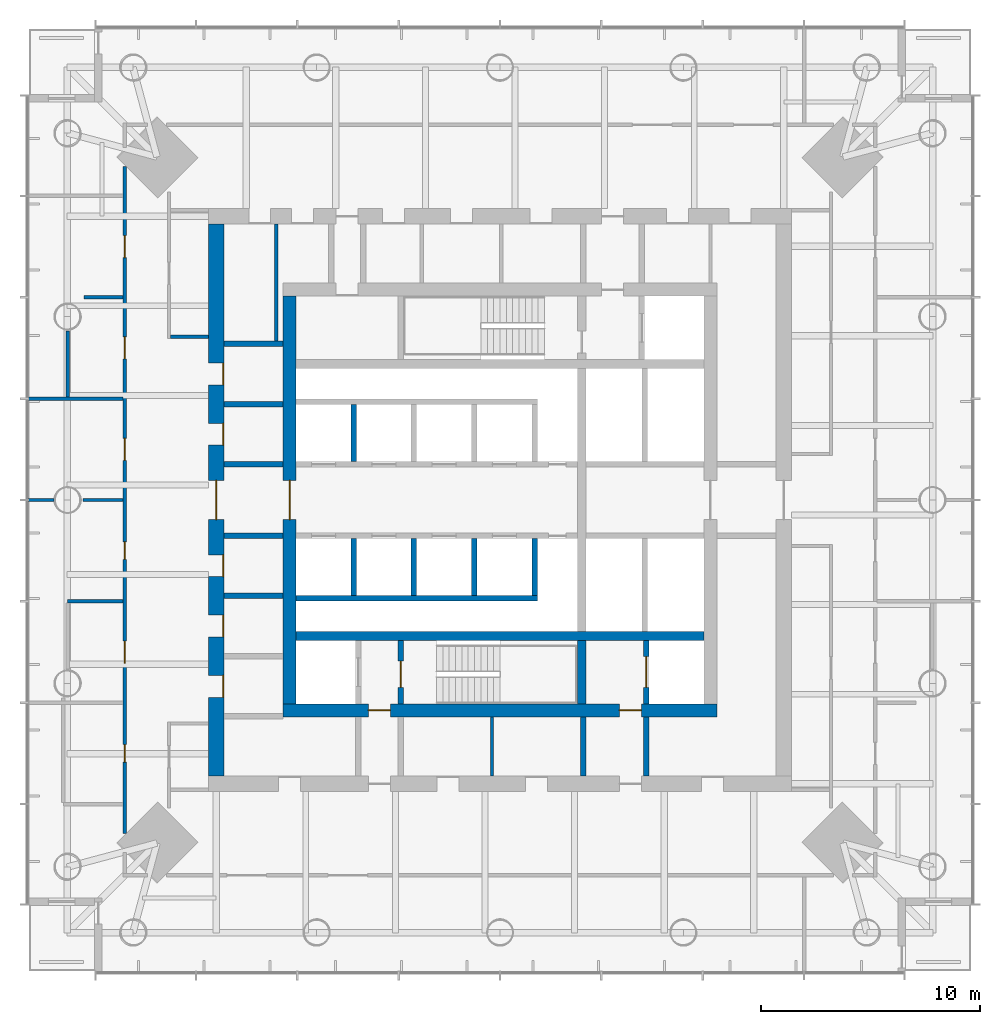
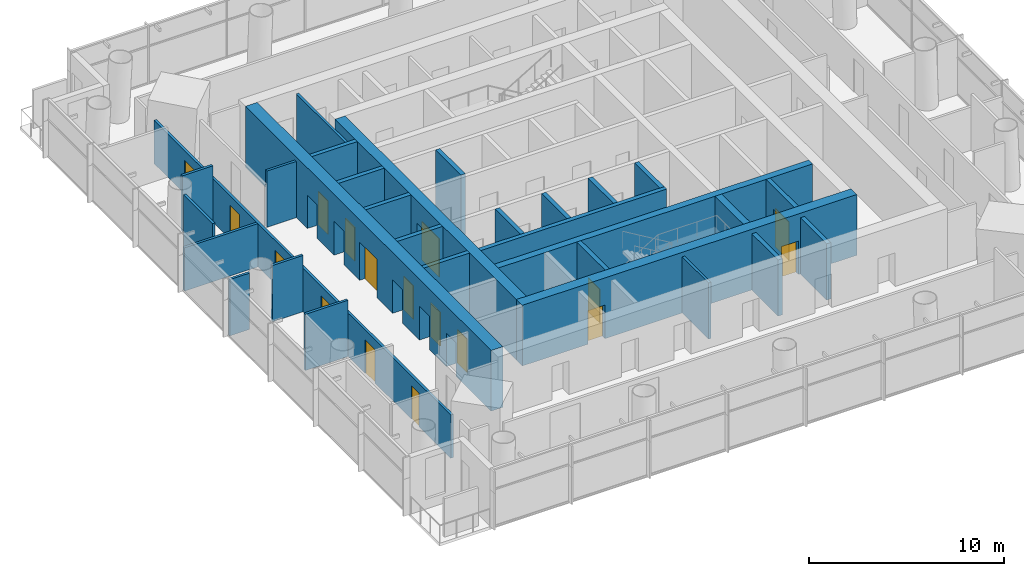
# One storey, part 7 of 11: 30 walls, 17 doors, 17 openings.
"""IFC4 building model written with IfcOpenShell, lengths in metres."""

import ifcopenshell
import ifcopenshell.guid

model = None  # the IFC model being written
_history = None  # IfcOwnerHistory: only IFC2X3 demands one
_inside = {}  # id of a spatial element -> (the spatial element, [elements in it])
_under = {}  # id of a project, library or spatial element -> (it, [spatial elements below it])
_declared = {}  # id of a project -> (the project, [libraries it declares])
_typed = {}  # id of a type object -> (the type object, [elements of that type])
_made_of = {}  # id of a material, layer set ... -> (it, [elements and type objects made of it])


def new_model(schema):
    """Start an empty IFC model of exactly this schema.

    Asked for "IFC4X3", IfcOpenShell would pick the latest addendum, in which some entities
    have other attributes; the version numbers below select the first issue.
    IFC2X3 requires an IfcOwnerHistory on every rooted entity: one is made here for all.
    """
    global model, _history
    if schema == "IFC4X3":
        model = ifcopenshell.file(schema_version=(4, 3, 0, 0))
    else:
        model = ifcopenshell.file(schema=schema)
    _inside.clear()
    _under.clear()
    _declared.clear()
    _typed.clear()
    _made_of.clear()
    _history = None
    if model.schema == "IFC2X3":
        org = make("IfcOrganization", Name="unknown")
        user = make(
            "IfcPersonAndOrganization",
            ThePerson=make("IfcPerson", FamilyName="unknown"),
            TheOrganization=org,
        )
        app = make(
            "IfcApplication",
            ApplicationDeveloper=org,
            Version="unknown",
            ApplicationFullName="unknown",
            ApplicationIdentifier="unknown",
        )
        _history = make(
            "IfcOwnerHistory",
            OwningUser=user,
            OwningApplication=app,
            ChangeAction="ADDED",
            CreationDate=0,
        )
    return model


def make(cls, **values):
    """One entity of the class cls with the attributes given. An attribute that is None is left unset."""
    return model.create_entity(
        cls, **{name: value for name, value in values.items() if value is not None}
    )


def rooted(cls, **values):
    """An entity with a GlobalId (a new one), such as an element, a storey or a relation."""
    return make(cls, GlobalId=ifcopenshell.guid.new(), OwnerHistory=_history, **values)


def si_unit(unit_type, name, prefix=None):
    """IfcSIUnit, for example si_unit("LENGTHUNIT", "METRE", prefix="MILLI")."""
    return make("IfcSIUnit", UnitType=unit_type, Prefix=prefix, Name=name)


def assignment(units):
    """IfcUnitAssignment: the units of a project."""
    return None if units is None else make("IfcUnitAssignment", Units=units)


def point(xyz):
    """IfcCartesianPoint."""
    return None if xyz is None else make("IfcCartesianPoint", Coordinates=xyz)


def direction(xyz):
    """IfcDirection."""
    return None if xyz is None else make("IfcDirection", DirectionRatios=xyz)


def frame(location, z_axis=None, x_axis=None):
    """IfcAxis2Placement3D, a coordinate frame: its origin and axes. An axis left out is left unset."""
    return make(
        "IfcAxis2Placement3D",
        Location=point(location),
        Axis=direction(z_axis),
        RefDirection=direction(x_axis),
    )


def frame_2d(location, x_axis=None):
    """IfcAxis2Placement2D, a coordinate frame in the plane: its origin and x axis."""
    return make(
        "IfcAxis2Placement2D", Location=point(location), RefDirection=direction(x_axis)
    )


def origin():
    """The frame at (0, 0, 0) with its axes left unset."""
    return frame((0.0, 0.0, 0.0))


def place(relative_to, where):
    """IfcLocalPlacement: puts the frame where relative to a parent placement (None: the world)."""
    return make(
        "IfcLocalPlacement", PlacementRelTo=relative_to, RelativePlacement=where
    )


def context(
    kind, dimensions, precision=None, world=None, true_north=None, identifier=None
):
    """IfcGeometricRepresentationContext, for example the 3D "Model" context."""
    return make(
        "IfcGeometricRepresentationContext",
        ContextIdentifier=identifier,
        ContextType=kind,
        CoordinateSpaceDimension=dimensions,
        Precision=precision,
        WorldCoordinateSystem=world,
        TrueNorth=true_north,
    )


def subcontext(parent, identifier, kind, view, scale=None):
    """IfcGeometricRepresentationSubContext, for example "Body" below "Model"."""
    return make(
        "IfcGeometricRepresentationSubContext",
        ContextIdentifier=identifier,
        ContextType=kind,
        ParentContext=parent,
        TargetScale=scale,
        TargetView=view,
    )


def project(units=None, contexts=None):
    """IfcProject with its units and contexts."""
    return rooted(
        "IfcProject",
        Name="project",
        RepresentationContexts=contexts,
        UnitsInContext=assignment(units),
    )


def spatial(cls, under=None, at=None, **own):
    """A site, building, storey or space (cls), placed at a placement, below another one or the project."""
    s = rooted(cls, ObjectPlacement=at, **own)
    if under is not None:
        _under.setdefault(under.id(), (under, []))[1].append(s)
    return s


def profile(cls, at=None, kind="AREA", **sizes):
    """A parametric profile (cls). Its sizes go by their IFC names, for example OverallWidth=200.0."""
    return make(cls, ProfileType=kind, Position=at, **sizes)


def rectangle(**sizes):
    """IfcRectangleProfileDef."""
    return profile("IfcRectangleProfileDef", **sizes)


def extrude(swept, where, along, depth):
    """IfcExtrudedAreaSolid: the profile swept, set in the frame where, extruded along a direction by depth."""
    return make(
        "IfcExtrudedAreaSolid",
        SweptArea=swept,
        Position=where,
        ExtrudedDirection=direction(along),
        Depth=depth,
    )


def shape(context_of_items, identifier, shape_type, items):
    """IfcShapeRepresentation: the items that make up one representation, for example the "Body"."""
    return make(
        "IfcShapeRepresentation",
        ContextOfItems=context_of_items,
        RepresentationIdentifier=identifier,
        RepresentationType=shape_type,
        Items=items,
    )


def material(Name=None, Category=None):
    """IfcMaterial."""
    return make("IfcMaterial", Name=Name, Category=Category)


def layer(
    of_material, thickness, ventilated=None, Name=None, Category=None, Priority=None
):
    """IfcMaterialLayer: one layer of a wall or slab, of a material (None: an air gap)."""
    return make(
        "IfcMaterialLayer",
        Material=of_material,
        LayerThickness=thickness,
        IsVentilated=ventilated,
        Name=Name,
        Category=Category,
        Priority=Priority,
    )


def layer_set(layers, Name=None):
    """IfcMaterialLayerSet."""
    return make("IfcMaterialLayerSet", MaterialLayers=layers, LayerSetName=Name)


def made_of(thing, what):
    """Note that an element or type object is made of a material, layer set ...; save() writes the relation."""
    if what is not None:
        _made_of.setdefault(what.id(), (what, []))[1].append(thing)
    return thing


def type_object(cls, material=None, **own):
    """A type object (cls), such as IfcWallType, which elements share."""
    return made_of(rooted(cls, **own), material)


def element(
    cls,
    number,
    at=None,
    inside=None,
    cuts=None,
    type_object=None,
    material=None,
    context=None,
    identifier="Body",
    shape_type=None,
    held_by="IfcProductDefinitionShape",
    body=None,
    shapes=None,
    **own,
):
    """One element of the class cls, such as IfcWall. Its Tag is "e" and its number.

    at: its placement. inside: the storey or other place that contains it. cuts: it is an
    opening in that element (IfcRelVoidsElement). A single representation is given by context,
    identifier, shape_type and body (its items); several are given by shapes. held_by: the class
    of the entity that holds the representations. save() writes the other relations.
    """
    e = rooted(cls, Tag="e%d" % number, ObjectPlacement=at, **own)
    if body is not None:
        shapes = [shape(context, identifier, shape_type, body)]
    if shapes is not None:
        e.Representation = make(held_by, Representations=shapes)
    if inside is not None:
        _inside.setdefault(inside.id(), (inside, []))[1].append(e)
    if cuts is not None:
        rooted(
            "IfcRelVoidsElement", RelatingBuildingElement=cuts, RelatedOpeningElement=e
        )
    if type_object is not None:
        _typed.setdefault(type_object.id(), (type_object, []))[1].append(e)
    return made_of(e, material)


def fill(opening, filler):
    """IfcRelFillsElement: the door or window that sits in an opening."""
    return rooted(
        "IfcRelFillsElement",
        RelatingOpeningElement=opening,
        RelatedBuildingElement=filler,
    )


def aggregate(whole, parts):
    """IfcRelAggregates: a whole, such as a stair, and the parts it consists of."""
    return rooted("IfcRelAggregates", RelatingObject=whole, RelatedObjects=parts)


def save(model, path):
    """Write the relations noted so far, then the file.

    IfcRelAggregates (storeys below a building ...), IfcRelContainedInSpatialStructure (elements
    in a storey), IfcRelDefinesByType, IfcRelAssociatesMaterial and IfcRelDeclares: one each for
    every whole, place, type object, material and project.
    """
    for whole, parts in _under.values():
        aggregate(whole, parts)
    for where, things in _inside.values():
        rooted(
            "IfcRelContainedInSpatialStructure",
            RelatedElements=things,
            RelatingStructure=where,
        )
    for kind, things in _typed.values():
        rooted("IfcRelDefinesByType", RelatedObjects=things, RelatingType=kind)
    for what, things in _made_of.values():
        rooted("IfcRelAssociatesMaterial", RelatedObjects=things, RelatingMaterial=what)
    for by, libraries in _declared.values():
        rooted("IfcRelDeclares", RelatingContext=by, RelatedDefinitions=libraries)
    model.write(path)


model = new_model("IFC4")

# Units and contexts
model_context = context("Model", 3, precision=1e-05, world=origin(), true_north=direction((0.0, 1.0)))
body_context = subcontext(model_context, "Body", "Model", "MODEL_VIEW")
ifc_project = project(units=[si_unit("LENGTHUNIT", "METRE"), si_unit("AREAUNIT", "SQUARE_METRE"), si_unit("VOLUMEUNIT", "CUBIC_METRE"), si_unit("PLANEANGLEUNIT", "RADIAN"), si_unit("MASSUNIT", "GRAM", prefix="KILO")], contexts=[model_context])

# Site, building, storey
site_placement = place(None, origin())
site = spatial("IfcSite", under=ifc_project, at=site_placement, CompositionType="ELEMENT")
building_placement = place(site_placement, origin())
building = spatial("IfcBuilding", under=site, at=building_placement, Name="Ostroluk Exchange", CompositionType="ELEMENT")
storey_placement = place(building_placement, frame((0.0, 0.0, 154.0)))
storey = spatial("IfcBuildingStorey", under=building, at=storey_placement, Name="L39", CompositionType="ELEMENT", Elevation=154.0)

# Walls
ifc_material_1 = material(Name="Concrete blockwork", Category="masonry")
ifc_layer_1 = layer(ifc_material_1, 0.14990234375)
ifc_layer_set_1 = layer_set([ifc_layer_1], Name="Blockwork plant room wall 150")
wall_type_1 = type_object("IfcWallType", Name="Blockwork plant room wall 150", PredefinedType="SOLIDWALL", material=ifc_layer_set_1)
wall_1_placement = place(storey_placement, frame((34.78759765625, 53.25, 0.0), z_axis=(0.0, 0.0, 1.0), x_axis=(0.0, 1.0, 0.0)))
element("IfcWall", 1, at=wall_1_placement, inside=storey, type_object=wall_type_1, Name="Core room wall", PredefinedType="SOLIDWALL", context=body_context, shape_type="SweptSolid", body=[
    extrude(rectangle(XDim=5.35009765625, YDim=0.14990234375, at=frame_2d((2.675048828125, 0.0))), origin(), (0.0, 0.0, 1.0), 3.52001953125),
])
wall_2_placement = place(storey_placement, frame((44.639892578125, 33.39990234375, 0.0), z_axis=(0.0, 0.0, 1.0), x_axis=(0.0, 1.0, 0.0)))
element("IfcWall", 2, at=wall_2_placement, inside=storey, type_object=wall_type_1, Name="Core room wall", PredefinedType="SOLIDWALL", context=body_context, shape_type="SweptSolid", body=[
    extrude(rectangle(XDim=2.7001953125, YDim=0.14990234375, at=frame_2d((1.35009765625, 0.0))), origin(), (0.0, 0.0, 1.0), 3.52001953125),
])
ifc_material_2 = material(Name="Concrete blockwork", Category="masonry")
ifc_layer_2 = layer(ifc_material_2, 0.25)
ifc_layer_set_2 = layer_set([ifc_layer_2], Name="Blockwork stair enclosure wall 250")
wall_type_2 = type_object("IfcWallType", Name="Blockwork stair enclosure wall 250", PredefinedType="SOLIDWALL", material=ifc_layer_set_2)
for number, where, z_axis, x_axis, name in (
    (3, (48.804931640625, 33.39990234375, 0.0), (0.0, 0.0, 1.0), (0.0, 1.0, 0.0), "Service lobby enclosure wall"),
    (4, (51.675048828125, 33.39990234375, 0.0), (0.0, 0.0, 1.0), (0.0, 1.0, 0.0), "Service lobby enclosure wall"),
):
    element("IfcWall", number, at=place(storey_placement, frame(where, z_axis=z_axis, x_axis=x_axis)), inside=storey, type_object=wall_type_2, Name=name, PredefinedType="SOLIDWALL", context=body_context, shape_type="SweptSolid", body=[
        extrude(rectangle(XDim=2.7001953125, YDim=0.25, at=frame_2d((1.35009765625, 0.0))), origin(), (0.0, 0.0, 1.0), 3.52001953125),
    ])
ifc_material_3 = material(Name="Concrete C50/60", Category="concrete")
ifc_layer_3 = layer(ifc_material_3, 0.39990234375)
ifc_layer_set_3 = layer_set([ifc_layer_3], Name="Core cross wall 400 C50/60")
wall_type_3 = type_object("IfcWallType", Name="Core cross wall 400 C50/60", PredefinedType="SHEAR", material=ifc_layer_set_3)
wall_3_placement = place(storey_placement, frame((35.699951171875, 39.800048828125, 0.0), z_axis=(0.0, 0.0, 1.0), x_axis=(1.0, 0.0, 0.0)))
element("IfcWall", 5, at=wall_3_placement, inside=storey, type_object=wall_type_3, Name="T1 core wall XS", PredefinedType="SHEAR", context=body_context, shape_type="SweptSolid", body=[
    extrude(rectangle(XDim=18.60009765625, YDim=0.39990234375, at=frame_2d((9.300048828125, 0.0))), origin(), (0.0, 0.0, 1.0), 3.800048828125),
])
wall_4_placement = place(storey_placement, frame((48.72998046875, 36.699951171875, 0.0), z_axis=(0.0, 0.0, 1.0), x_axis=(0.0, 1.0, 0.0)))
element("IfcWall", 6, at=wall_4_placement, inside=storey, type_object=wall_type_3, Name="T1 core wall YE1", PredefinedType="SHEAR", context=body_context, shape_type="SweptSolid", body=[
    extrude(rectangle(XDim=2.900146484375, YDim=0.39990234375, at=frame_2d((1.4501953125, 0.0))), origin(), (0.0, 0.0, 1.0), 3.800048828125),
])

# Wall, opening, door
ifc_material_4 = material(Name="Concrete C40/50", Category="concrete")
ifc_layer_4 = layer(ifc_material_4, 0.25)
ifc_layer_set_4 = layer_set([ifc_layer_4], Name="Core shaft wall 250")
wall_type_4 = type_object("IfcWallType", Name="Core shaft wall 250", PredefinedType="SHEAR", material=ifc_layer_set_4)
wall_5_placement = place(storey_placement, frame((40.47509765625, 36.699951171875, 0.0), z_axis=(0.0, 0.0, 1.0), x_axis=(0.0, 1.0, 0.0)))
wall_5 = element("IfcWall", 7, at=wall_5_placement, inside=storey, type_object=wall_type_4, Name="Stair shaft wall", PredefinedType="SHEAR", context=body_context, shape_type="SweptSolid", body=[
    extrude(rectangle(XDim=2.900146484375, YDim=0.25, at=frame_2d((1.4501953125, 0.0))), origin(), (0.0, 0.0, 1.0), 3.800048828125),
])
opening_1_placement = place(wall_5_placement, frame((0.75, 0.0, 0.0)))
opening_1 = element("IfcOpeningElement", 8, at=opening_1_placement, cuts=wall_5, Name="Opening FD60S", PredefinedType="OPENING", context=body_context, shape_type="SweptSolid", body=[
    extrude(rectangle(XDim=1.199951171875, YDim=2.10009765625, at=frame_2d((0.60009765625, 1.050048828125))), frame((0.0, 0.135009765625, 0.0), z_axis=(0.0, -1.0, 0.0), x_axis=(1.0, 0.0, 0.0)), (0.0, 0.0, 1.0), 0.27001953125),
])
ifc_material_5 = material(Name="Steel", Category="steel")
door_type_1 = type_object("IfcDoorType", Name="Stair door EI 60 1200 x 2100", OperationType="SINGLE_SWING_LEFT", PredefinedType="DOOR", material=ifc_material_5)
door_1_placement = place(opening_1_placement, origin())
door_1 = element("IfcDoor", 9, at=door_1_placement, inside=storey, type_object=door_type_1, Name="Stair T1-S1 door", OperationType="SINGLE_SWING_LEFT", OverallHeight=2.10009765625, OverallWidth=1.199951171875, PredefinedType="DOOR", context=body_context, shape_type="SweptSolid", body=[
    extrude(rectangle(XDim=1.199951171875, YDim=2.10009765625, at=frame_2d((0.60009765625, 1.050048828125))), frame((0.0, 0.02490234375, 0.0), z_axis=(0.0, -1.0, 0.0), x_axis=(1.0, 0.0, 0.0)), (0.0, 0.0, 1.0), 0.050048828125),
])
fill(opening_1, door_1)

wall_6_placement = place(storey_placement, frame((51.675048828125, 36.699951171875, 0.0), z_axis=(0.0, 0.0, 1.0), x_axis=(0.0, 1.0, 0.0)))
wall_6 = element("IfcWall", 10, at=wall_6_placement, inside=storey, type_object=wall_type_4, Name="Service lift shaft wall", PredefinedType="SHEAR", context=body_context, shape_type="SweptSolid", body=[
    extrude(rectangle(XDim=2.900146484375, YDim=0.25, at=frame_2d((1.4501953125, 0.0))), origin(), (0.0, 0.0, 1.0), 3.800048828125),
])
opening_2_placement = place(wall_6_placement, frame((0.75, 0.0, 0.0)))
opening_2 = element("IfcOpeningElement", 11, at=opening_2_placement, cuts=wall_6, Name="Opening LD3", PredefinedType="OPENING", context=body_context, shape_type="SweptSolid", body=[
    extrude(rectangle(XDim=1.39990234375, YDim=2.39990234375, at=frame_2d((0.699951171875, 1.199951171875))), frame((0.0, 0.135009765625, 0.0), z_axis=(0.0, -1.0, 0.0), x_axis=(1.0, 0.0, 0.0)), (0.0, 0.0, 1.0), 0.27001953125),
])
ifc_material_6 = material(Name="Stainless steel", Category="steel")
door_type_2 = type_object("IfcDoorType", Name="Goods lift landing door E 60 1400 x 2400", OperationType="DOUBLE_DOOR_SLIDING", PredefinedType="DOOR", material=ifc_material_6)
door_2_placement = place(opening_2_placement, origin())
door_2 = element("IfcDoor", 12, at=door_2_placement, inside=storey, type_object=door_type_2, Name="Lift SL1 landing door", OperationType="DOUBLE_DOOR_SLIDING", OverallHeight=2.39990234375, OverallWidth=1.39990234375, PredefinedType="DOOR", context=body_context, shape_type="SweptSolid", body=[
    extrude(rectangle(XDim=1.39990234375, YDim=2.39990234375, at=frame_2d((0.699951171875, 1.199951171875))), frame((0.0, 0.02490234375, 0.0), z_axis=(0.0, -1.0, 0.0), x_axis=(1.0, 0.0, 0.0)), (0.0, 0.0, 1.0), 0.050048828125),
])
fill(opening_2, door_2)

# Walls
for number, where, z_axis, x_axis, name in (
    (13, (38.324951171875, 47.75, 0.0), (0.0, 0.0, 1.0), (0.0, 1.0, 0.0), "Lift shaft wall"),
    (14, (38.324951171875, 44.25, 0.0), (0.0, 0.0, 1.0), (0.0, -1.0, 0.0), "Lift shaft wall"),
    (15, (41.074951171875, 44.25, 0.0), (0.0, 0.0, 1.0), (0.0, -1.0, 0.0), "Lift shaft wall"),
    (16, (43.824951171875, 44.25, 0.0), (0.0, 0.0, 1.0), (0.0, -1.0, 0.0), "Lift shaft wall"),
    (17, (46.574951171875, 44.25, 0.0), (0.0, 0.0, 1.0), (0.0, -1.0, 0.0), "Lift shaft wall"),
):
    element("IfcWall", number, at=place(storey_placement, frame(where, z_axis=z_axis, x_axis=x_axis)), inside=storey, type_object=wall_type_4, Name=name, PredefinedType="SHEAR", context=body_context, shape_type="SweptSolid", body=[
        extrude(rectangle(XDim=2.60009765625, YDim=0.25, at=frame_2d((1.300048828125, 0.0))), origin(), (0.0, 0.0, 1.0), 3.800048828125),
    ])
wall_7_placement = place(storey_placement, frame((35.699951171875, 41.52490234375, 0.0), z_axis=(0.0, 0.0, 1.0), x_axis=(1.0, 0.0, 0.0)))
element("IfcWall", 18, at=wall_7_placement, inside=storey, type_object=wall_type_4, Name="Lift shaft wall", PredefinedType="SHEAR", context=body_context, shape_type="SweptSolid", body=[
    extrude(rectangle(XDim=11.0, YDim=0.25, at=frame_2d((5.5, 0.0))), origin(), (0.0, 0.0, 1.0), 3.800048828125),
])
for number, where, z_axis, x_axis, name in (
    (19, (32.39990234375, 41.625, 0.0), (0.0, 0.0, 1.0), (1.0, 0.0, 0.0), "Lift shaft wall"),
    (20, (32.39990234375, 44.375, 0.0), (0.0, 0.0, 1.0), (1.0, 0.0, 0.0), "Lift shaft wall"),
    (21, (32.39990234375, 47.625, 0.0), (0.0, 0.0, 1.0), (1.0, 0.0, 0.0), "Lift shaft wall"),
    (22, (32.39990234375, 50.375, 0.0), (0.0, 0.0, 1.0), (1.0, 0.0, 0.0), "Lift shaft wall"),
    (23, (32.39990234375, 53.125, 0.0), (0.0, 0.0, 1.0), (1.0, 0.0, 0.0), "Lift shaft wall"),
):
    element("IfcWall", number, at=place(storey_placement, frame(where, z_axis=z_axis, x_axis=x_axis)), inside=storey, type_object=wall_type_4, Name=name, PredefinedType="SHEAR", context=body_context, shape_type="SweptSolid", body=[
        extrude(rectangle(XDim=2.7001953125, YDim=0.25, at=frame_2d((1.35009765625, 0.0))), origin(), (0.0, 0.0, 1.0), 3.800048828125),
    ])

# Wall, openings, doors
ifc_material_7 = material(Name="Concrete C50/60", Category="concrete")
ifc_layer_5 = layer(ifc_material_7, 0.60009765625)
ifc_layer_set_5 = layer_set([ifc_layer_5], Name="Core wall 600 C50/60")
wall_type_5 = type_object("IfcWallType", Name="Core wall 600 C50/60", PredefinedType="SHEAR", material=ifc_layer_set_5)
wall_8_placement = place(storey_placement, frame((35.10009765625, 36.39990234375, 0.0), z_axis=(0.0, 0.0, 1.0), x_axis=(1.0, 0.0, 0.0)))
wall_8 = element("IfcWall", 24, at=wall_8_placement, inside=storey, type_object=wall_type_5, Name="T1 core wall S", PredefinedType="SHEAR", context=body_context, shape_type="SweptSolid", body=[
    extrude(rectangle(XDim=19.7998046875, YDim=0.60009765625, at=frame_2d((9.89990234375, 0.0))), origin(), (0.0, 0.0, 1.0), 3.800048828125),
])
opening_3_placement = place(wall_8_placement, frame((3.89990234375, 0.0, 0.0)))
opening_3 = element("IfcOpeningElement", 25, at=opening_3_placement, cuts=wall_8, Name="Opening FD60", PredefinedType="OPENING", context=body_context, shape_type="SweptSolid", body=[
    extrude(rectangle(XDim=1.0, YDim=2.10009765625, at=frame_2d((0.5, 1.050048828125))), frame((0.0, 0.31005859375, 0.0), z_axis=(0.0, -1.0, 0.0), x_axis=(1.0, 0.0, 0.0)), (0.0, 0.0, 1.0), 0.6201171875),
])
opening_4_placement = place(wall_8_placement, frame((15.35009765625, 0.0, 0.0)))
opening_4 = element("IfcOpeningElement", 26, at=opening_4_placement, cuts=wall_8, Name="Opening FD60", PredefinedType="OPENING", context=body_context, shape_type="SweptSolid", body=[
    extrude(rectangle(XDim=1.0, YDim=2.10009765625, at=frame_2d((0.5, 1.050048828125))), frame((0.0, 0.31005859375, 0.0), z_axis=(0.0, -1.0, 0.0), x_axis=(1.0, 0.0, 0.0)), (0.0, 0.0, 1.0), 0.6201171875),
])
ifc_material_8 = material(Name="Steel", Category="steel")
door_type_3 = type_object("IfcDoorType", Name="Fire door EI 60 1000 x 2100", OperationType="SINGLE_SWING_LEFT", PredefinedType="DOOR", material=ifc_material_8)
door_3_placement = place(opening_3_placement, origin())
door_3 = element("IfcDoor", 27, at=door_3_placement, inside=storey, type_object=door_type_3, Name="Firefighting lobby door", OperationType="SINGLE_SWING_LEFT", OverallHeight=2.10009765625, OverallWidth=1.0, PredefinedType="DOOR", context=body_context, shape_type="SweptSolid", body=[
    extrude(rectangle(XDim=1.0, YDim=2.10009765625, at=frame_2d((0.5, 1.050048828125))), frame((0.0, 0.02490234375, 0.0), z_axis=(0.0, -1.0, 0.0), x_axis=(1.0, 0.0, 0.0)), (0.0, 0.0, 1.0), 0.050048828125),
])
fill(opening_3, door_3)
door_4_placement = place(opening_4_placement, origin())
door_4 = element("IfcDoor", 28, at=door_4_placement, inside=storey, type_object=door_type_3, Name="Service lobby door", OperationType="SINGLE_SWING_RIGHT", OverallHeight=2.10009765625, OverallWidth=1.0, PredefinedType="DOOR", context=body_context, shape_type="SweptSolid", body=[
    extrude(rectangle(XDim=1.0, YDim=2.10009765625, at=frame_2d((0.5, 1.050048828125))), frame((0.0, 0.02490234375, 0.0), z_axis=(0.0, -1.0, 0.0), x_axis=(1.0, 0.0, 0.0)), (0.0, 0.0, 1.0), 0.050048828125),
])
fill(opening_4, door_4)

# Wall, opening, door
wall_9_placement = place(storey_placement, frame((35.39990234375, 36.699951171875, 0.0), z_axis=(0.0, 0.0, 1.0), x_axis=(0.0, 1.0, 0.0)))
wall_9 = element("IfcWall", 29, at=wall_9_placement, inside=storey, type_object=wall_type_5, Name="T1 core wall W", PredefinedType="SHEAR", context=body_context, shape_type="SweptSolid", body=[
    extrude(rectangle(XDim=18.60009765625, YDim=0.60009765625, at=frame_2d((9.300048828125, 0.0))), origin(), (0.0, 0.0, 1.0), 3.800048828125),
])
opening_5_placement = place(wall_9_placement, frame((8.39990234375, 0.0, 0.0)))
opening_5 = element("IfcOpeningElement", 30, at=opening_5_placement, cuts=wall_9, Name="Opening FD30D", PredefinedType="OPENING", context=body_context, shape_type="SweptSolid", body=[
    extrude(rectangle(XDim=1.800048828125, YDim=2.39990234375, at=frame_2d((0.89990234375, 1.199951171875))), frame((0.0, 0.31005859375, 0.0), z_axis=(0.0, -1.0, 0.0), x_axis=(1.0, 0.0, 0.0)), (0.0, 0.0, 1.0), 0.6201171875),
])
ifc_material_9 = material(Name="Timber", Category="wood")
door_type_4 = type_object("IfcDoorType", Name="Lobby double door EI 30 1800 x 2400", OperationType="DOUBLE_DOOR_SINGLE_SWING", PredefinedType="DOOR", material=ifc_material_9)
door_5_placement = place(opening_5_placement, origin())
door_5 = element("IfcDoor", 31, at=door_5_placement, inside=storey, type_object=door_type_4, Name="Lift lobby doors", OperationType="DOUBLE_DOOR_SINGLE_SWING", OverallHeight=2.39990234375, OverallWidth=1.800048828125, PredefinedType="DOOR", context=body_context, shape_type="SweptSolid", body=[
    extrude(rectangle(XDim=1.800048828125, YDim=2.39990234375, at=frame_2d((0.89990234375, 1.199951171875))), frame((0.0, 0.02490234375, 0.0), z_axis=(0.0, -1.0, 0.0), x_axis=(1.0, 0.0, 0.0)), (0.0, 0.0, 1.0), 0.050048828125),
])
fill(opening_5, door_5)

# Wall, openings, doors
ifc_material_10 = material(Name="Concrete C50/60", Category="concrete")
ifc_layer_6 = layer(ifc_material_10, 0.699951171875)
ifc_layer_set_6 = layer_set([ifc_layer_6], Name="Core wall 700 C50/60")
wall_type_6 = type_object("IfcWallType", Name="Core wall 700 C50/60", PredefinedType="SHEAR", material=ifc_layer_set_6)
wall_10_placement = place(storey_placement, frame((32.050048828125, 33.39990234375, 0.0), z_axis=(0.0, 0.0, 1.0), x_axis=(0.0, 1.0, 0.0)))
wall_10 = element("IfcWall", 32, at=wall_10_placement, inside=storey, type_object=wall_type_6, Name="T1 core wall RW", PredefinedType="SHEAR", context=body_context, shape_type="SweptSolid", body=[
    extrude(rectangle(XDim=25.2001953125, YDim=0.699951171875, at=frame_2d((12.60009765625, 0.0))), origin(), (0.0, 0.0, 1.0), 3.800048828125),
])
opening_6_placement = place(wall_10_placement, frame((11.699951171875, 0.0, 0.0)))
opening_6 = element("IfcOpeningElement", 33, at=opening_6_placement, cuts=wall_10, Name="Opening FD30D", PredefinedType="OPENING", context=body_context, shape_type="SweptSolid", body=[
    extrude(rectangle(XDim=1.800048828125, YDim=2.39990234375, at=frame_2d((0.89990234375, 1.199951171875))), frame((0.0, 0.35986328125, 0.0), z_axis=(0.0, -1.0, 0.0), x_axis=(1.0, 0.0, 0.0)), (0.0, 0.0, 1.0), 0.719970703125),
])
opening_7_placement = place(wall_10_placement, frame((3.60009765625, 0.0, 0.0)))
opening_7 = element("IfcOpeningElement", 34, at=opening_7_placement, cuts=wall_10, Name="Opening FD60", PredefinedType="OPENING", context=body_context, shape_type="SweptSolid", body=[
    extrude(rectangle(XDim=1.0, YDim=2.10009765625, at=frame_2d((0.5, 1.050048828125))), frame((0.0, 0.35986328125, 0.0), z_axis=(0.0, -1.0, 0.0), x_axis=(1.0, 0.0, 0.0)), (0.0, 0.0, 1.0), 0.719970703125),
])
opening_8_placement = place(wall_10_placement, frame((6.35009765625, 0.0, 0.0)))
opening_8 = element("IfcOpeningElement", 35, at=opening_8_placement, cuts=wall_10, Name="Opening FD60", PredefinedType="OPENING", context=body_context, shape_type="SweptSolid", body=[
    extrude(rectangle(XDim=1.0, YDim=2.10009765625, at=frame_2d((0.5, 1.050048828125))), frame((0.0, 0.35986328125, 0.0), z_axis=(0.0, -1.0, 0.0), x_axis=(1.0, 0.0, 0.0)), (0.0, 0.0, 1.0), 0.719970703125),
])
opening_9_placement = place(wall_10_placement, frame((9.10009765625, 0.0, 0.0)))
opening_9 = element("IfcOpeningElement", 36, at=opening_9_placement, cuts=wall_10, Name="Opening FD60", PredefinedType="OPENING", context=body_context, shape_type="SweptSolid", body=[
    extrude(rectangle(XDim=1.0, YDim=2.10009765625, at=frame_2d((0.5, 1.050048828125))), frame((0.0, 0.35986328125, 0.0), z_axis=(0.0, -1.0, 0.0), x_axis=(1.0, 0.0, 0.0)), (0.0, 0.0, 1.0), 0.719970703125),
])
opening_10_placement = place(wall_10_placement, frame((15.10009765625, 0.0, 0.0)))
opening_10 = element("IfcOpeningElement", 37, at=opening_10_placement, cuts=wall_10, Name="Opening FD60", PredefinedType="OPENING", context=body_context, shape_type="SweptSolid", body=[
    extrude(rectangle(XDim=1.0, YDim=2.10009765625, at=frame_2d((0.5, 1.050048828125))), frame((0.0, 0.35986328125, 0.0), z_axis=(0.0, -1.0, 0.0), x_axis=(1.0, 0.0, 0.0)), (0.0, 0.0, 1.0), 0.719970703125),
])
opening_11_placement = place(wall_10_placement, frame((17.85009765625, 0.0, 0.0)))
opening_11 = element("IfcOpeningElement", 38, at=opening_11_placement, cuts=wall_10, Name="Opening FD60", PredefinedType="OPENING", context=body_context, shape_type="SweptSolid", body=[
    extrude(rectangle(XDim=1.0, YDim=2.10009765625, at=frame_2d((0.5, 1.050048828125))), frame((0.0, 0.35986328125, 0.0), z_axis=(0.0, -1.0, 0.0), x_axis=(1.0, 0.0, 0.0)), (0.0, 0.0, 1.0), 0.719970703125),
])
door_6_placement = place(opening_7_placement, origin())
door_6 = element("IfcDoor", 39, at=door_6_placement, inside=storey, type_object=door_type_3, Name="Store door", OperationType="SINGLE_SWING_LEFT", OverallHeight=2.10009765625, OverallWidth=1.0, PredefinedType="DOOR", context=body_context, shape_type="SweptSolid", body=[
    extrude(rectangle(XDim=1.0, YDim=2.10009765625, at=frame_2d((0.5, 1.050048828125))), frame((0.0, -0.2900390625, 0.0), z_axis=(0.0, -1.0, 0.0), x_axis=(1.0, 0.0, 0.0)), (0.0, 0.0, 1.0), 0.050048828125),
])
fill(opening_7, door_6)
door_7_placement = place(opening_8_placement, origin())
door_7 = element("IfcDoor", 40, at=door_7_placement, inside=storey, type_object=door_type_3, Name="Cleaner's store door", OperationType="SINGLE_SWING_LEFT", OverallHeight=2.10009765625, OverallWidth=1.0, PredefinedType="DOOR", context=body_context, shape_type="SweptSolid", body=[
    extrude(rectangle(XDim=1.0, YDim=2.10009765625, at=frame_2d((0.5, 1.050048828125))), frame((0.0, -0.2900390625, 0.0), z_axis=(0.0, -1.0, 0.0), x_axis=(1.0, 0.0, 0.0)), (0.0, 0.0, 1.0), 0.050048828125),
])
fill(opening_8, door_7)
door_8_placement = place(opening_9_placement, origin())
door_8 = element("IfcDoor", 41, at=door_8_placement, inside=storey, type_object=door_type_3, Name="Store door", OperationType="SINGLE_SWING_LEFT", OverallHeight=2.10009765625, OverallWidth=1.0, PredefinedType="DOOR", context=body_context, shape_type="SweptSolid", body=[
    extrude(rectangle(XDim=1.0, YDim=2.10009765625, at=frame_2d((0.5, 1.050048828125))), frame((0.0, -0.2900390625, 0.0), z_axis=(0.0, -1.0, 0.0), x_axis=(1.0, 0.0, 0.0)), (0.0, 0.0, 1.0), 0.050048828125),
])
fill(opening_9, door_8)
door_9_placement = place(opening_10_placement, origin())
door_9 = element("IfcDoor", 42, at=door_9_placement, inside=storey, type_object=door_type_3, Name="Cleaner's store door", OperationType="SINGLE_SWING_RIGHT", OverallHeight=2.10009765625, OverallWidth=1.0, PredefinedType="DOOR", context=body_context, shape_type="SweptSolid", body=[
    extrude(rectangle(XDim=1.0, YDim=2.10009765625, at=frame_2d((0.5, 1.050048828125))), frame((0.0, -0.2900390625, 0.0), z_axis=(0.0, -1.0, 0.0), x_axis=(1.0, 0.0, 0.0)), (0.0, 0.0, 1.0), 0.050048828125),
])
fill(opening_10, door_9)
door_10_placement = place(opening_11_placement, origin())
door_10 = element("IfcDoor", 43, at=door_10_placement, inside=storey, type_object=door_type_3, Name="Store door", OperationType="SINGLE_SWING_RIGHT", OverallHeight=2.10009765625, OverallWidth=1.0, PredefinedType="DOOR", context=body_context, shape_type="SweptSolid", body=[
    extrude(rectangle(XDim=1.0, YDim=2.10009765625, at=frame_2d((0.5, 1.050048828125))), frame((0.0, -0.2900390625, 0.0), z_axis=(0.0, -1.0, 0.0), x_axis=(1.0, 0.0, 0.0)), (0.0, 0.0, 1.0), 0.050048828125),
])
fill(opening_11, door_10)
door_11_placement = place(opening_6_placement, origin())
door_11 = element("IfcDoor", 44, at=door_11_placement, inside=storey, type_object=door_type_4, Name="Lift lobby doors", OperationType="DOUBLE_DOOR_SINGLE_SWING", OverallHeight=2.39990234375, OverallWidth=1.800048828125, PredefinedType="DOOR", context=body_context, shape_type="SweptSolid", body=[
    extrude(rectangle(XDim=1.800048828125, YDim=2.39990234375, at=frame_2d((0.89990234375, 1.199951171875))), frame((0.0, 0.02490234375, 0.0), z_axis=(0.0, -1.0, 0.0), x_axis=(1.0, 0.0, 0.0)), (0.0, 0.0, 1.0), 0.050048828125),
])
fill(opening_6, door_11)

# Walls
ifc_material_11 = material(Name="Gypsum plasterboard partition", Category="gypsum")
ifc_layer_7 = layer(ifc_material_11, 0.14990234375)
ifc_layer_set_7 = layer_set([ifc_layer_7], Name="Plasterboard partition 150")
wall_type_7 = type_object("IfcWallType", Name="Plasterboard partition 150", PredefinedType="PARTITIONING", material=ifc_layer_set_7)
wall_11_placement = place(storey_placement, frame((31.699951171875, 53.449951171875, 0.0), z_axis=(0.0, 0.0, 1.0), x_axis=(-1.0, 0.0, 0.0)))
element("IfcWall", 45, at=wall_11_placement, inside=storey, type_object=wall_type_7, Name="Partition", PredefinedType="PARTITIONING", context=body_context, shape_type="SweptSolid", body=[
    extrude(rectangle(XDim=1.724853515625, YDim=0.14990234375, at=frame_2d((0.8623046875, 0.0))), origin(), (0.0, 0.0, 1.0), 3.52001953125),
])
wall_12_placement = place(storey_placement, frame((25.27490234375, 53.704833984375, 0.0), z_axis=(0.0, 0.0, 1.0), x_axis=(0.0, -1.0, 0.0)))
element("IfcWall", 46, at=wall_12_placement, inside=storey, type_object=wall_type_7, Name="Partition", PredefinedType="PARTITIONING", context=body_context, shape_type="SweptSolid", body=[
    extrude(rectangle(XDim=3.0048828125, YDim=0.14990234375, at=frame_2d((1.50244140625, 0.0))), origin(), (0.0, 0.0, 1.0), 3.52001953125),
])

# Wall, openings, doors
wall_13_placement = place(storey_placement, frame((27.875, 61.21142578125, 0.0), z_axis=(0.0, 0.0, 1.0), x_axis=(0.0, -1.0, 0.0)))
wall_13 = element("IfcWall", 47, at=wall_13_placement, inside=storey, type_object=wall_type_7, Name="Partition", PredefinedType="PARTITIONING", context=body_context, shape_type="SweptSolid", body=[
    extrude(rectangle(XDim=30.4228515625, YDim=0.14990234375, at=frame_2d((15.21142578125, 0.0))), origin(), (0.0, 0.0, 1.0), 2.7060546875),
])
opening_12_placement = place(wall_13_placement, frame((3.14892578125, 0.0, 0.0)))
opening_12 = element("IfcOpeningElement", 48, at=opening_12_placement, cuts=wall_13, Name="Opening D-03", PredefinedType="OPENING", context=body_context, shape_type="SweptSolid", body=[
    extrude(rectangle(XDim=1.0, YDim=2.10009765625, at=frame_2d((0.5, 1.050048828125))), frame((0.0, 0.0849609375, 0.0), z_axis=(0.0, -1.0, 0.0), x_axis=(1.0, 0.0, 0.0)), (0.0, 0.0, 1.0), 0.169921875),
])
opening_13_placement = place(wall_13_placement, frame((7.77392578125, 0.0, 0.0)))
opening_13 = element("IfcOpeningElement", 49, at=opening_13_placement, cuts=wall_13, Name="Opening D-03", PredefinedType="OPENING", context=body_context, shape_type="SweptSolid", body=[
    extrude(rectangle(XDim=1.0, YDim=2.10009765625, at=frame_2d((0.5, 1.050048828125))), frame((0.0, 0.0849609375, 0.0), z_axis=(0.0, -1.0, 0.0), x_axis=(1.0, 0.0, 0.0)), (0.0, 0.0, 1.0), 0.169921875),
])
opening_14_placement = place(wall_13_placement, frame((12.39892578125, 0.0, 0.0)))
opening_14 = element("IfcOpeningElement", 50, at=opening_14_placement, cuts=wall_13, Name="Opening D-03", PredefinedType="OPENING", context=body_context, shape_type="SweptSolid", body=[
    extrude(rectangle(XDim=1.0, YDim=2.10009765625, at=frame_2d((0.5, 1.050048828125))), frame((0.0, 0.0849609375, 0.0), z_axis=(0.0, -1.0, 0.0), x_axis=(1.0, 0.0, 0.0)), (0.0, 0.0, 1.0), 0.169921875),
])
opening_15_placement = place(wall_13_placement, frame((17.1240234375, 0.0, 0.0)))
opening_15 = element("IfcOpeningElement", 51, at=opening_15_placement, cuts=wall_13, Name="Opening D-06", PredefinedType="OPENING", context=body_context, shape_type="SweptSolid", body=[
    extrude(rectangle(XDim=0.800048828125, YDim=2.10009765625, at=frame_2d((0.39990234375, 1.050048828125))), frame((0.0, 0.0849609375, 0.0), z_axis=(0.0, -1.0, 0.0), x_axis=(1.0, 0.0, 0.0)), (0.0, 0.0, 1.0), 0.169921875),
])
opening_16_placement = place(wall_13_placement, frame((21.64892578125, 0.0, 0.0)))
opening_16 = element("IfcOpeningElement", 52, at=opening_16_placement, cuts=wall_13, Name="Opening D-03", PredefinedType="OPENING", context=body_context, shape_type="SweptSolid", body=[
    extrude(rectangle(XDim=1.0, YDim=2.10009765625, at=frame_2d((0.5, 1.050048828125))), frame((0.0, 0.0849609375, 0.0), z_axis=(0.0, -1.0, 0.0), x_axis=(1.0, 0.0, 0.0)), (0.0, 0.0, 1.0), 0.169921875),
])
opening_17_placement = place(wall_13_placement, frame((26.3740234375, 0.0, 0.0)))
opening_17 = element("IfcOpeningElement", 53, at=opening_17_placement, cuts=wall_13, Name="Opening D-06", PredefinedType="OPENING", context=body_context, shape_type="SweptSolid", body=[
    extrude(rectangle(XDim=0.800048828125, YDim=2.10009765625, at=frame_2d((0.39990234375, 1.050048828125))), frame((0.0, 0.0849609375, 0.0), z_axis=(0.0, -1.0, 0.0), x_axis=(1.0, 0.0, 0.0)), (0.0, 0.0, 1.0), 0.169921875),
])
ifc_material_12 = material(Name="Timber", Category="wood")
door_type_5 = type_object("IfcDoorType", Name="Internal door 1000 x 2100", OperationType="SINGLE_SWING_LEFT", PredefinedType="DOOR", material=ifc_material_12)
door_12_placement = place(opening_12_placement, origin())
door_12 = element("IfcDoor", 54, at=door_12_placement, inside=storey, type_object=door_type_5, Name="Office door", OperationType="SINGLE_SWING_LEFT", OverallHeight=2.10009765625, OverallWidth=1.0, PredefinedType="DOOR", context=body_context, shape_type="SweptSolid", body=[
    extrude(rectangle(XDim=1.0, YDim=2.10009765625, at=frame_2d((0.5, 1.050048828125))), frame((0.0, 0.02490234375, 0.0), z_axis=(0.0, -1.0, 0.0), x_axis=(1.0, 0.0, 0.0)), (0.0, 0.0, 1.0), 0.050048828125),
])
fill(opening_12, door_12)
door_13_placement = place(opening_13_placement, origin())
door_13 = element("IfcDoor", 55, at=door_13_placement, inside=storey, type_object=door_type_5, Name="Pantry door", OperationType="SINGLE_SWING_LEFT", OverallHeight=2.10009765625, OverallWidth=1.0, PredefinedType="DOOR", context=body_context, shape_type="SweptSolid", body=[
    extrude(rectangle(XDim=1.0, YDim=2.10009765625, at=frame_2d((0.5, 1.050048828125))), frame((0.0, 0.02490234375, 0.0), z_axis=(0.0, -1.0, 0.0), x_axis=(1.0, 0.0, 0.0)), (0.0, 0.0, 1.0), 0.050048828125),
])
fill(opening_13, door_13)
door_14_placement = place(opening_14_placement, origin())
door_14 = element("IfcDoor", 56, at=door_14_placement, inside=storey, type_object=door_type_5, Name="Office door", OperationType="SINGLE_SWING_LEFT", OverallHeight=2.10009765625, OverallWidth=1.0, PredefinedType="DOOR", context=body_context, shape_type="SweptSolid", body=[
    extrude(rectangle(XDim=1.0, YDim=2.10009765625, at=frame_2d((0.5, 1.050048828125))), frame((0.0, 0.02490234375, 0.0), z_axis=(0.0, -1.0, 0.0), x_axis=(1.0, 0.0, 0.0)), (0.0, 0.0, 1.0), 0.050048828125),
])
fill(opening_14, door_14)
door_15_placement = place(opening_16_placement, origin())
door_15 = element("IfcDoor", 57, at=door_15_placement, inside=storey, type_object=door_type_5, Name="Accessible WC door", OperationType="SINGLE_SWING_RIGHT", OverallHeight=2.10009765625, OverallWidth=1.0, PredefinedType="DOOR", context=body_context, shape_type="SweptSolid", body=[
    extrude(rectangle(XDim=1.0, YDim=2.10009765625, at=frame_2d((0.5, 1.050048828125))), frame((0.0, 0.02490234375, 0.0), z_axis=(0.0, -1.0, 0.0), x_axis=(1.0, 0.0, 0.0)), (0.0, 0.0, 1.0), 0.050048828125),
])
fill(opening_16, door_15)
ifc_material_13 = material(Name="Timber", Category="wood")
door_type_6 = type_object("IfcDoorType", Name="Toilet door 800 x 2100", OperationType="SINGLE_SWING_LEFT", PredefinedType="DOOR", material=ifc_material_13)
door_16_placement = place(opening_15_placement, origin())
door_16 = element("IfcDoor", 58, at=door_16_placement, inside=storey, type_object=door_type_6, Name="WC female door", OperationType="SINGLE_SWING_RIGHT", OverallHeight=2.10009765625, OverallWidth=0.800048828125, PredefinedType="DOOR", context=body_context, shape_type="SweptSolid", body=[
    extrude(rectangle(XDim=0.800048828125, YDim=2.10009765625, at=frame_2d((0.39990234375, 1.050048828125))), frame((0.0, 0.02490234375, 0.0), z_axis=(0.0, -1.0, 0.0), x_axis=(1.0, 0.0, 0.0)), (0.0, 0.0, 1.0), 0.050048828125),
])
fill(opening_15, door_16)
door_17_placement = place(opening_17_placement, origin())
door_17 = element("IfcDoor", 59, at=door_17_placement, inside=storey, type_object=door_type_6, Name="WC male door", OperationType="SINGLE_SWING_RIGHT", OverallHeight=2.10009765625, OverallWidth=0.800048828125, PredefinedType="DOOR", context=body_context, shape_type="SweptSolid", body=[
    extrude(rectangle(XDim=0.800048828125, YDim=2.10009765625, at=frame_2d((0.39990234375, 1.050048828125))), frame((0.0, 0.02490234375, 0.0), z_axis=(0.0, -1.0, 0.0), x_axis=(1.0, 0.0, 0.0)), (0.0, 0.0, 1.0), 0.050048828125),
])
fill(opening_17, door_17)

# Walls
wall_14_placement = place(storey_placement, frame((27.800048828125, 55.25, 0.0), z_axis=(0.0, 0.0, 1.0), x_axis=(-1.0, 0.0, 0.0)))
element("IfcWall", 60, at=wall_14_placement, inside=storey, type_object=wall_type_7, Name="Partition", PredefinedType="PARTITIONING", context=body_context, shape_type="SweptSolid", body=[
    extrude(rectangle(XDim=1.788330078125, YDim=0.14990234375, at=frame_2d((0.89404296875, 0.0))), origin(), (0.0, 0.0, 1.0), 3.52001953125),
])
wall_15_placement = place(storey_placement, frame((27.800048828125, 50.625, 0.0), z_axis=(0.0, 0.0, 1.0), x_axis=(-1.0, 0.0, 0.0)))
element("IfcWall", 61, at=wall_15_placement, inside=storey, type_object=wall_type_7, Name="Partition", PredefinedType="PARTITIONING", context=body_context, shape_type="SweptSolid", body=[
    extrude(rectangle(XDim=4.340087890625, YDim=0.14990234375, at=frame_2d((2.169921875, 0.0))), origin(), (0.0, 0.0, 1.0), 2.7060546875),
])
wall_16_placement = place(storey_placement, frame((27.800048828125, 46.0, 0.0), z_axis=(0.0, 0.0, 1.0), x_axis=(-1.0, 0.0, 0.0)))
element("IfcWall", 62, at=wall_16_placement, inside=storey, type_object=wall_type_7, Name="Partition", PredefinedType="PARTITIONING", context=body_context, shape_type="SweptSolid", body=[
    extrude(rectangle(XDim=1.819091796875, YDim=0.14990234375, at=frame_2d((0.90966796875, 0.0))), origin(), (0.0, 0.0, 1.0), 3.52001953125),
])
wall_17_placement = place(storey_placement, frame((24.640380859375, 46.0, 0.0), z_axis=(0.0, 0.0, 1.0), x_axis=(-1.0, 0.0, 0.0)))
element("IfcWall", 63, at=wall_17_placement, inside=storey, type_object=wall_type_7, Name="Partition", PredefinedType="PARTITIONING", context=body_context, shape_type="SweptSolid", body=[
    extrude(rectangle(XDim=1.180419921875, YDim=0.14990234375, at=frame_2d((0.59033203125, 0.0))), origin(), (0.0, 0.0, 1.0), 3.52001953125),
])
wall_18_placement = place(storey_placement, frame((27.800048828125, 41.375, 0.0), z_axis=(0.0, 0.0, 1.0), x_axis=(-1.0, 0.0, 0.0)))
element("IfcWall", 64, at=wall_18_placement, inside=storey, type_object=wall_type_7, Name="Partition", PredefinedType="PARTITIONING", context=body_context, shape_type="SweptSolid", body=[
    extrude(rectangle(XDim=2.525146484375, YDim=0.14990234375, at=frame_2d((1.2626953125, 0.0))), origin(), (0.0, 0.0, 1.0), 3.52001953125),
])

save(model, "model.ifc")
